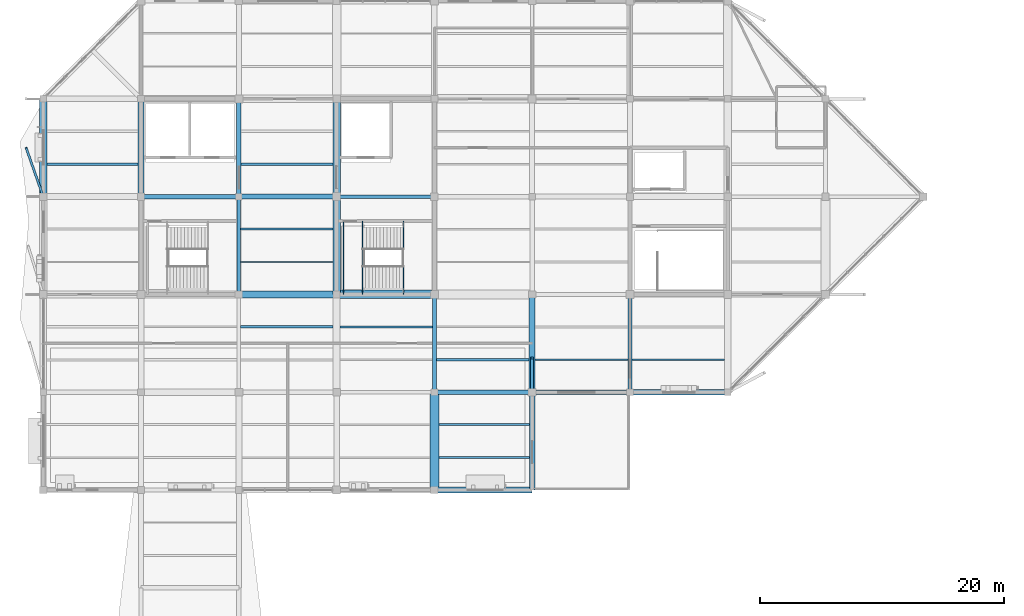
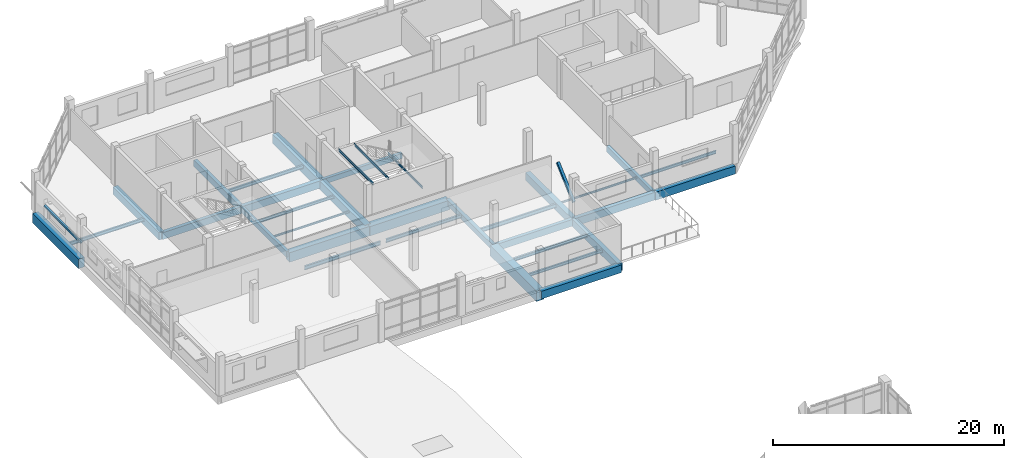
# One storey, part 17 of 72: 34 beams, 2 members.
"""IFC4 building model written with IfcOpenShell, lengths in metres."""

import ifcopenshell
import ifcopenshell.guid

model = None  # the IFC model being written
_history = None  # IfcOwnerHistory: only IFC2X3 demands one
_inside = {}  # id of a spatial element -> (the spatial element, [elements in it])
_under = {}  # id of a project, library or spatial element -> (it, [spatial elements below it])
_declared = {}  # id of a project -> (the project, [libraries it declares])
_typed = {}  # id of a type object -> (the type object, [elements of that type])
_made_of = {}  # id of a material, layer set ... -> (it, [elements and type objects made of it])


def new_model(schema):
    """Start an empty IFC model of exactly this schema.

    Asked for "IFC4X3", IfcOpenShell would pick the latest addendum, in which some entities
    have other attributes; the version numbers below select the first issue.
    IFC2X3 requires an IfcOwnerHistory on every rooted entity: one is made here for all.
    """
    global model, _history
    if schema == "IFC4X3":
        model = ifcopenshell.file(schema_version=(4, 3, 0, 0))
    else:
        model = ifcopenshell.file(schema=schema)
    _inside.clear()
    _under.clear()
    _declared.clear()
    _typed.clear()
    _made_of.clear()
    _history = None
    if model.schema == "IFC2X3":
        org = make("IfcOrganization", Name="unknown")
        user = make(
            "IfcPersonAndOrganization",
            ThePerson=make("IfcPerson", FamilyName="unknown"),
            TheOrganization=org,
        )
        app = make(
            "IfcApplication",
            ApplicationDeveloper=org,
            Version="unknown",
            ApplicationFullName="unknown",
            ApplicationIdentifier="unknown",
        )
        _history = make(
            "IfcOwnerHistory",
            OwningUser=user,
            OwningApplication=app,
            ChangeAction="ADDED",
            CreationDate=0,
        )
    return model


def make(cls, **values):
    """One entity of the class cls with the attributes given. An attribute that is None is left unset."""
    return model.create_entity(
        cls, **{name: value for name, value in values.items() if value is not None}
    )


def rooted(cls, **values):
    """An entity with a GlobalId (a new one), such as an element, a storey or a relation."""
    return make(cls, GlobalId=ifcopenshell.guid.new(), OwnerHistory=_history, **values)


def si_unit(unit_type, name, prefix=None):
    """IfcSIUnit, for example si_unit("LENGTHUNIT", "METRE", prefix="MILLI")."""
    return make("IfcSIUnit", UnitType=unit_type, Prefix=prefix, Name=name)


def assignment(units):
    """IfcUnitAssignment: the units of a project."""
    return None if units is None else make("IfcUnitAssignment", Units=units)


def point(xyz):
    """IfcCartesianPoint."""
    return None if xyz is None else make("IfcCartesianPoint", Coordinates=xyz)


def direction(xyz):
    """IfcDirection."""
    return None if xyz is None else make("IfcDirection", DirectionRatios=xyz)


def frame(location, z_axis=None, x_axis=None):
    """IfcAxis2Placement3D, a coordinate frame: its origin and axes. An axis left out is left unset."""
    return make(
        "IfcAxis2Placement3D",
        Location=point(location),
        Axis=direction(z_axis),
        RefDirection=direction(x_axis),
    )


def frame_2d(location, x_axis=None):
    """IfcAxis2Placement2D, a coordinate frame in the plane: its origin and x axis."""
    return make(
        "IfcAxis2Placement2D", Location=point(location), RefDirection=direction(x_axis)
    )


def origin():
    """The frame at (0, 0, 0) with its axes left unset."""
    return frame((0.0, 0.0, 0.0))


def origin_2d():
    """The frame at (0, 0) in the plane with its x axis left unset."""
    return frame_2d((0.0, 0.0))


def place(relative_to, where):
    """IfcLocalPlacement: puts the frame where relative to a parent placement (None: the world)."""
    return make(
        "IfcLocalPlacement", PlacementRelTo=relative_to, RelativePlacement=where
    )


def context(
    kind, dimensions, precision=None, world=None, true_north=None, identifier=None
):
    """IfcGeometricRepresentationContext, for example the 3D "Model" context."""
    return make(
        "IfcGeometricRepresentationContext",
        ContextIdentifier=identifier,
        ContextType=kind,
        CoordinateSpaceDimension=dimensions,
        Precision=precision,
        WorldCoordinateSystem=world,
        TrueNorth=true_north,
    )


def subcontext(parent, identifier, kind, view, scale=None):
    """IfcGeometricRepresentationSubContext, for example "Body" below "Model"."""
    return make(
        "IfcGeometricRepresentationSubContext",
        ContextIdentifier=identifier,
        ContextType=kind,
        ParentContext=parent,
        TargetScale=scale,
        TargetView=view,
    )


def project(units=None, contexts=None):
    """IfcProject with its units and contexts."""
    return rooted(
        "IfcProject",
        Name="project",
        RepresentationContexts=contexts,
        UnitsInContext=assignment(units),
    )


def spatial(cls, under=None, at=None, **own):
    """A site, building, storey or space (cls), placed at a placement, below another one or the project."""
    s = rooted(cls, ObjectPlacement=at, **own)
    if under is not None:
        _under.setdefault(under.id(), (under, []))[1].append(s)
    return s


def profile(cls, at=None, kind="AREA", **sizes):
    """A parametric profile (cls). Its sizes go by their IFC names, for example OverallWidth=200.0."""
    return make(cls, ProfileType=kind, Position=at, **sizes)


def rectangle(**sizes):
    """IfcRectangleProfileDef."""
    return profile("IfcRectangleProfileDef", **sizes)


def hollow_rectangle(**sizes):
    """IfcRectangleHollowProfileDef."""
    return profile("IfcRectangleHollowProfileDef", **sizes)


def i_section(**sizes):
    """IfcIShapeProfileDef."""
    return profile("IfcIShapeProfileDef", **sizes)


def extrude(swept, where, along, depth):
    """IfcExtrudedAreaSolid: the profile swept, set in the frame where, extruded along a direction by depth."""
    return make(
        "IfcExtrudedAreaSolid",
        SweptArea=swept,
        Position=where,
        ExtrudedDirection=direction(along),
        Depth=depth,
    )


def shape(context_of_items, identifier, shape_type, items):
    """IfcShapeRepresentation: the items that make up one representation, for example the "Body"."""
    return make(
        "IfcShapeRepresentation",
        ContextOfItems=context_of_items,
        RepresentationIdentifier=identifier,
        RepresentationType=shape_type,
        Items=items,
    )


def material(Name=None, Category=None):
    """IfcMaterial."""
    return make("IfcMaterial", Name=Name, Category=Category)


def material_profile(
    of_material, cross_section, Name=None, Category=None, Priority=None
):
    """IfcMaterialProfile: a cross section and its material."""
    return make(
        "IfcMaterialProfile",
        Name=Name,
        Material=of_material,
        Profile=cross_section,
        Priority=Priority,
        Category=Category,
    )


def profile_set(profiles, Name=None, composite=None):
    """IfcMaterialProfileSet."""
    return make(
        "IfcMaterialProfileSet",
        Name=Name,
        MaterialProfiles=profiles,
        CompositeProfile=composite,
    )


def made_of(thing, what):
    """Note that an element or type object is made of a material, layer set ...; save() writes the relation."""
    if what is not None:
        _made_of.setdefault(what.id(), (what, []))[1].append(thing)
    return thing


def type_object(cls, material=None, **own):
    """A type object (cls), such as IfcWallType, which elements share."""
    return made_of(rooted(cls, **own), material)


def element(
    cls,
    number,
    at=None,
    inside=None,
    cuts=None,
    type_object=None,
    material=None,
    context=None,
    identifier="Body",
    shape_type=None,
    held_by="IfcProductDefinitionShape",
    body=None,
    shapes=None,
    **own,
):
    """One element of the class cls, such as IfcWall. Its Tag is "e" and its number.

    at: its placement. inside: the storey or other place that contains it. cuts: it is an
    opening in that element (IfcRelVoidsElement). A single representation is given by context,
    identifier, shape_type and body (its items); several are given by shapes. held_by: the class
    of the entity that holds the representations. save() writes the other relations.
    """
    e = rooted(cls, Tag="e%d" % number, ObjectPlacement=at, **own)
    if body is not None:
        shapes = [shape(context, identifier, shape_type, body)]
    if shapes is not None:
        e.Representation = make(held_by, Representations=shapes)
    if inside is not None:
        _inside.setdefault(inside.id(), (inside, []))[1].append(e)
    if cuts is not None:
        rooted(
            "IfcRelVoidsElement", RelatingBuildingElement=cuts, RelatedOpeningElement=e
        )
    if type_object is not None:
        _typed.setdefault(type_object.id(), (type_object, []))[1].append(e)
    return made_of(e, material)


def aggregate(whole, parts):
    """IfcRelAggregates: a whole, such as a stair, and the parts it consists of."""
    return rooted("IfcRelAggregates", RelatingObject=whole, RelatedObjects=parts)


def save(model, path):
    """Write the relations noted so far, then the file.

    IfcRelAggregates (storeys below a building ...), IfcRelContainedInSpatialStructure (elements
    in a storey), IfcRelDefinesByType, IfcRelAssociatesMaterial and IfcRelDeclares: one each for
    every whole, place, type object, material and project.
    """
    for whole, parts in _under.values():
        aggregate(whole, parts)
    for where, things in _inside.values():
        rooted(
            "IfcRelContainedInSpatialStructure",
            RelatedElements=things,
            RelatingStructure=where,
        )
    for kind, things in _typed.values():
        rooted("IfcRelDefinesByType", RelatedObjects=things, RelatingType=kind)
    for what, things in _made_of.values():
        rooted("IfcRelAssociatesMaterial", RelatedObjects=things, RelatingMaterial=what)
    for by, libraries in _declared.values():
        rooted("IfcRelDeclares", RelatingContext=by, RelatedDefinitions=libraries)
    model.write(path)


model = new_model("IFC4")

# Units and contexts
model_context = context("Model", 3, precision=1e-05, world=origin(), true_north=direction((0.0, 1.0)))
body_context = subcontext(model_context, "Body", "Model", "MODEL_VIEW")
ifc_project = project(units=[si_unit("LENGTHUNIT", "METRE"), si_unit("AREAUNIT", "SQUARE_METRE"), si_unit("VOLUMEUNIT", "CUBIC_METRE"), si_unit("PLANEANGLEUNIT", "RADIAN"), si_unit("MASSUNIT", "GRAM", prefix="KILO")], contexts=[model_context])

# Site, building, storey
site_placement = place(None, origin())
site = spatial("IfcSite", under=ifc_project, at=site_placement, CompositionType="ELEMENT")
building_placement = place(site_placement, origin())
building = spatial("IfcBuilding", under=site, at=building_placement, Name="Tenunan Teduh Sports Hall", CompositionType="ELEMENT")
storey_placement = place(building_placement, frame((0.0, 0.0, 15.0)))
storey = spatial("IfcBuildingStorey", under=building, at=storey_placement, Name="L03", CompositionType="ELEMENT", Elevation=15.0)

# Beams
ifc_material_1 = material(Name="Concrete C40/50", Category="concrete")
ifc_material_profile_1 = material_profile(ifc_material_1, rectangle(XDim=0.300048828125, YDim=0.550048828125, at=origin_2d()), Name="RCB 300x550")
ifc_profile_set_1 = profile_set([ifc_material_profile_1], Name="Concrete C40/50")
beam_type_1 = type_object("IfcBeamType", Name="BM-RC-300x550", PredefinedType="BEAM", material=ifc_profile_set_1)
beam_1_placement = place(storey_placement, frame((30.0, 102.0, -0.514892578125), z_axis=(1.0, 0.0, 0.0), x_axis=(0.0, 1.0, 0.0)))
element("IfcBeam", 1, at=beam_1_placement, inside=storey, type_object=beam_type_1, Name="BM-B-02-L03-1854", PredefinedType="BEAM", context=body_context, shape_type="SweptSolid", body=[
    extrude(rectangle(XDim=0.300048828125, YDim=0.550048828125, at=origin_2d()), origin(), (0.0, 0.0, 1.0), 8.0),
])
ifc_material_2 = material(Name="Concrete C40/50", Category="concrete")
ifc_material_profile_2 = material_profile(ifc_material_2, rectangle(XDim=0.300048828125, YDim=0.60009765625, at=origin_2d()), Name="RCB 300x600")
ifc_profile_set_2 = profile_set([ifc_material_profile_2], Name="Concrete C40/50")
beam_type_2 = type_object("IfcBeamType", Name="BM-RC-300x600", PredefinedType="BEAM", material=ifc_profile_set_2)
for number, where, z_axis, x_axis, name in (
    (2, (22.0, 94.0, -0.5400390625), (0.0, 1.0, 0.0), (-1.0, 0.0, 0.0), "BM-B-03-L03-1900"),
    (3, (54.0, 86.0, -0.5400390625), (0.0, 1.0, 0.0), (-1.0, 0.0, 0.0), "BM-B-03-L03-1922"),
):
    element("IfcBeam", number, at=place(storey_placement, frame(where, z_axis=z_axis, x_axis=x_axis)), inside=storey, type_object=beam_type_2, Name=name, PredefinedType="BEAM", context=body_context, shape_type="SweptSolid", body=[
        extrude(rectangle(XDim=0.300048828125, YDim=0.60009765625, at=origin_2d()), origin(), (0.0, 0.0, 1.0), 8.0),
    ])
ifc_material_3 = material(Name="Concrete C40/50", Category="concrete")
ifc_material_profile_3 = material_profile(ifc_material_3, rectangle(XDim=0.35009765625, YDim=0.60009765625, at=origin_2d()), Name="RCB 350x600")
ifc_profile_set_3 = profile_set([ifc_material_profile_3], Name="Concrete C40/50")
beam_type_3 = type_object("IfcBeamType", Name="BM-RC-350x600", PredefinedType="BEAM", material=ifc_profile_set_3)
beam_2_placement = place(storey_placement, frame((38.0, 86.0, -0.5400390625), z_axis=(0.0, 1.0, 0.0), x_axis=(-1.0, 0.0, 0.0)))
element("IfcBeam", 4, at=beam_2_placement, inside=storey, type_object=beam_type_3, Name="BM-B-04-L03-1909", PredefinedType="BEAM", context=body_context, shape_type="SweptSolid", body=[
    extrude(rectangle(XDim=0.35009765625, YDim=0.60009765625, at=origin_2d()), origin(), (0.0, 0.0, 1.0), 8.0),
])
ifc_material_4 = material(Name="Concrete C40/50", Category="concrete")
ifc_material_profile_4 = material_profile(ifc_material_4, rectangle(XDim=0.35009765625, YDim=0.699951171875, at=origin_2d()), Name="RCB 350x700")
ifc_profile_set_4 = profile_set([ifc_material_profile_4], Name="Concrete C40/50")
beam_type_4 = type_object("IfcBeamType", Name="BM-RC-350x700", PredefinedType="BEAM", material=ifc_profile_set_4)
for number, where, z_axis, x_axis, name in (
    (5, (38.0, 86.0, -0.590087890625), (1.0, 0.0, 0.0), (0.0, 1.0, 0.0), "BM-B-06-L03-1838"),
    (6, (22.0, 102.0, -0.590087890625), (0.0, 1.0, 0.0), (-1.0, 0.0, 0.0), "BM-B-06-L03-1901"),
):
    element("IfcBeam", number, at=place(storey_placement, frame(where, z_axis=z_axis, x_axis=x_axis)), inside=storey, type_object=beam_type_4, Name=name, PredefinedType="BEAM", context=body_context, shape_type="SweptSolid", body=[
        extrude(rectangle(XDim=0.35009765625, YDim=0.699951171875, at=origin_2d()), origin(), (0.0, 0.0, 1.0), 8.0),
    ])
ifc_material_5 = material(Name="Concrete C40/50", Category="concrete")
ifc_material_profile_5 = material_profile(ifc_material_5, rectangle(XDim=0.39990234375, YDim=0.800048828125, at=origin_2d()), Name="RCB 400x800")
ifc_profile_set_5 = profile_set([ifc_material_profile_5], Name="Concrete C40/50")
beam_type_5 = type_object("IfcBeamType", Name="BM-RC-400x800", PredefinedType="BEAM", material=ifc_profile_set_5)
beam_3_placement = place(storey_placement, frame((46.0, 86.0, -0.639892578125), z_axis=(1.0, 0.0, 0.0), x_axis=(0.0, 1.0, 0.0)))
element("IfcBeam", 7, at=beam_3_placement, inside=storey, type_object=beam_type_5, Name="BM-B-10-L03-1839", PredefinedType="BEAM", context=body_context, shape_type="SweptSolid", body=[
    extrude(rectangle(XDim=0.39990234375, YDim=0.800048828125, at=origin_2d()), origin(), (0.0, 0.0, 1.0), 8.0),
])
ifc_material_6 = material(Name="Concrete C40/50", Category="concrete")
ifc_material_profile_6 = material_profile(ifc_material_6, rectangle(XDim=0.449951171875, YDim=0.800048828125, at=origin_2d()), Name="RCB 450x800")
ifc_profile_set_6 = profile_set([ifc_material_profile_6], Name="Concrete C40/50")
beam_type_6 = type_object("IfcBeamType", Name="BM-RC-450x800", PredefinedType="BEAM", material=ifc_profile_set_6)
beam_4_placement = place(storey_placement, frame((46.0, 78.0, -0.639892578125), z_axis=(0.0, 1.0, 0.0), x_axis=(-1.0, 0.0, 0.0)))
element("IfcBeam", 8, at=beam_4_placement, inside=storey, type_object=beam_type_6, Name="BM-B-12-L03-1913", PredefinedType="BEAM", context=body_context, shape_type="SweptSolid", body=[
    extrude(rectangle(XDim=0.449951171875, YDim=0.800048828125, at=origin_2d()), origin(), (0.0, 0.0, 1.0), 8.0),
])
ifc_material_7 = material(Name="Concrete C40/50", Category="concrete")
ifc_material_profile_7 = material_profile(ifc_material_7, rectangle(XDim=0.449951171875, YDim=0.85009765625, at=origin_2d()), Name="RCB 450x850")
ifc_profile_set_7 = profile_set([ifc_material_profile_7], Name="Concrete C40/50")
beam_type_7 = type_object("IfcBeamType", Name="BM-RC-450x850", PredefinedType="BEAM", material=ifc_profile_set_7)
beam_5_placement = place(storey_placement, frame((54.0, 86.0, -0.6650390625), z_axis=(1.0, 0.0, 0.0), x_axis=(0.0, 1.0, 0.0)))
element("IfcBeam", 9, at=beam_5_placement, inside=storey, type_object=beam_type_7, Name="BM-B-13-L03-1840", PredefinedType="BEAM", context=body_context, shape_type="SweptSolid", body=[
    extrude(rectangle(XDim=0.449951171875, YDim=0.85009765625, at=origin_2d()), origin(), (0.0, 0.0, 1.0), 8.0),
])
ifc_material_8 = material(Name="Concrete C40/50", Category="concrete")
ifc_material_profile_8 = material_profile(ifc_material_8, rectangle(XDim=0.5, YDim=0.800048828125, at=origin_2d()), Name="RCB 500x800")
ifc_profile_set_8 = profile_set([ifc_material_profile_8], Name="Concrete C40/50")
beam_type_8 = type_object("IfcBeamType", Name="BM-RC-500x800", PredefinedType="BEAM", material=ifc_profile_set_8)
for number, where, z_axis, x_axis, name in (
    (10, (38.0, 78.0, -0.639892578125), (1.0, 0.0, 0.0), (0.0, 1.0, 0.0), "BM-B-14-L03-1829"),
    (11, (14.0, 102.0, -0.639892578125), (0.0, 1.0, 0.0), (-1.0, 0.0, 0.0), "BM-B-14-L03-1892"),
    (12, (46.0, 86.0, -0.639892578125), (0.0, 1.0, 0.0), (-1.0, 0.0, 0.0), "BM-B-14-L03-1914"),
):
    element("IfcBeam", number, at=place(storey_placement, frame(where, z_axis=z_axis, x_axis=x_axis)), inside=storey, type_object=beam_type_8, Name=name, PredefinedType="BEAM", context=body_context, shape_type="SweptSolid", body=[
        extrude(rectangle(XDim=0.5, YDim=0.800048828125, at=origin_2d()), origin(), (0.0, 0.0, 1.0), 8.0),
    ])
ifc_material_9 = material(Name="Concrete C40/50", Category="concrete")
ifc_material_profile_9 = material_profile(ifc_material_9, rectangle(XDim=0.60009765625, YDim=1.0, at=origin_2d()), Name="RCB 600x1000")
ifc_profile_set_9 = profile_set([ifc_material_profile_9], Name="Concrete C40/50")
beam_type_9 = type_object("IfcBeamType", Name="BM-RC-600x1000", PredefinedType="BEAM", material=ifc_profile_set_9)
for number, where, z_axis, x_axis, name in (
    (13, (22.0, 94.0, -0.739990234375), (1.0, 0.0, 0.0), (0.0, 1.0, 0.0), "BM-B-18-L03-1843"),
    (14, (6.0, 102.0, -0.739990234375), (0.0, 1.0, 0.0), (-1.0, 0.0, 0.0), "BM-B-18-L03-1884"),
    (15, (30.0, 102.0, -0.739990234375), (0.0, 1.0, 0.0), (-1.0, 0.0, 0.0), "BM-B-18-L03-1906"),
):
    element("IfcBeam", number, at=place(storey_placement, frame(where, z_axis=z_axis, x_axis=x_axis)), inside=storey, type_object=beam_type_9, Name=name, PredefinedType="BEAM", context=body_context, shape_type="SweptSolid", body=[
        extrude(rectangle(XDim=0.60009765625, YDim=1.0, at=origin_2d()), origin(), (0.0, 0.0, 1.0), 8.0),
    ])
ifc_material_10 = material(Name="Concrete C40/50", Category="concrete")
ifc_material_profile_10 = material_profile(ifc_material_10, rectangle(XDim=0.60009765625, YDim=0.89990234375, at=origin_2d()), Name="RCB 600x900")
ifc_profile_set_10 = profile_set([ifc_material_profile_10], Name="Concrete C40/50")
beam_type_10 = type_object("IfcBeamType", Name="BM-RC-600x900", PredefinedType="BEAM", material=ifc_profile_set_10)
beam_6_placement = place(storey_placement, frame((30.0, 94.0, -0.68994140625), z_axis=(0.0, 1.0, 0.0), x_axis=(-1.0, 0.0, 0.0)))
element("IfcBeam", 16, at=beam_6_placement, inside=storey, type_object=beam_type_10, Name="BM-B-17-L03-1905", PredefinedType="BEAM", context=body_context, shape_type="SweptSolid", body=[
    extrude(rectangle(XDim=0.60009765625, YDim=0.89990234375, at=origin_2d()), origin(), (0.0, 0.0, 1.0), 8.0),
])
ifc_material_11 = material(Name="Concrete C40/50", Category="concrete")
ifc_material_profile_11 = material_profile(ifc_material_11, rectangle(XDim=0.699951171875, YDim=1.0, at=origin_2d()), Name="RCB 700x1000")
ifc_profile_set_11 = profile_set([ifc_material_profile_11], Name="Concrete C40/50")
beam_type_11 = type_object("IfcBeamType", Name="BM-RC-700x1000", PredefinedType="SPANDREL", material=ifc_profile_set_11)
beam_7_placement = place(storey_placement, frame((30.0, 94.0, -0.739990234375), z_axis=(1.0, 0.0, 0.0), x_axis=(0.0, 1.0, 0.0)))
element("IfcBeam", 17, at=beam_7_placement, inside=storey, type_object=beam_type_11, Name="BM-B-19-L03-1844", PredefinedType="SPANDREL", context=body_context, shape_type="SweptSolid", body=[
    extrude(rectangle(XDim=0.699951171875, YDim=1.0, at=origin_2d()), origin(), (0.0, 0.0, 1.0), 8.0),
])
ifc_material_12 = material(Name="Concrete C40/50", Category="concrete")
ifc_material_profile_12 = material_profile(ifc_material_12, rectangle(XDim=0.75, YDim=1.10009765625, at=origin_2d()), Name="RCB 750x1100")
ifc_profile_set_12 = profile_set([ifc_material_profile_12], Name="Concrete C40/50")
beam_type_12 = type_object("IfcBeamType", Name="BM-RC-750x1100", PredefinedType="SPANDREL", material=ifc_profile_set_12)
beam_8_placement = place(storey_placement, frame((38.0, 78.0, -0.7900390625), z_axis=(0.0, 1.0, 0.0), x_axis=(-1.0, 0.0, 0.0)))
element("IfcBeam", 18, at=beam_8_placement, inside=storey, type_object=beam_type_12, Name="BM-B-20-L03-1908", PredefinedType="SPANDREL", context=body_context, shape_type="SweptSolid", body=[
    extrude(rectangle(XDim=0.75, YDim=1.10009765625, at=origin_2d()), origin(), (0.0, 0.0, 1.0), 8.0),
])
ifc_material_13 = material(Name="Concrete C40/50", Category="concrete")
ifc_material_profile_13 = material_profile(ifc_material_13, rectangle(XDim=0.35009765625, YDim=0.719970703125, at=origin_2d()), Name="TB 350x720")
ifc_profile_set_13 = profile_set([ifc_material_profile_13], Name="Concrete C40/50")
beam_type_13 = type_object("IfcBeamType", Name="BM-TB-350x720", PredefinedType="T_BEAM", material=ifc_profile_set_13)
beam_9_placement = place(storey_placement, frame((14.0, 102.0, -0.60009765625), z_axis=(1.0, 0.0, 0.0), x_axis=(0.0, 1.0, 0.0)))
element("IfcBeam", 19, at=beam_9_placement, inside=storey, type_object=beam_type_13, Name="BM-TB-01-L03-1852", PredefinedType="T_BEAM", context=body_context, shape_type="SweptSolid", body=[
    extrude(rectangle(XDim=0.35009765625, YDim=0.719970703125, at=origin_2d()), origin(), (0.0, 0.0, 1.0), 8.0),
])
ifc_material_14 = material(Name="Concrete C40/50", Category="concrete")
ifc_material_profile_14 = material_profile(ifc_material_14, rectangle(XDim=0.39990234375, YDim=0.780029296875, at=origin_2d()), Name="TB 400x780")
ifc_profile_set_14 = profile_set([ifc_material_profile_14], Name="Concrete C40/50")
beam_type_14 = type_object("IfcBeamType", Name="BM-TB-400x780", PredefinedType="T_BEAM", material=ifc_profile_set_14)
beam_10_placement = place(storey_placement, frame((22.0, 102.0, -0.6298828125), z_axis=(1.0, 0.0, 0.0), x_axis=(0.0, 1.0, 0.0)))
element("IfcBeam", 20, at=beam_10_placement, inside=storey, type_object=beam_type_14, Name="BM-TB-02-L03-1853", PredefinedType="T_BEAM", context=body_context, shape_type="SweptSolid", body=[
    extrude(rectangle(XDim=0.39990234375, YDim=0.780029296875, at=origin_2d()), origin(), (0.0, 0.0, 1.0), 8.0),
])
ifc_material_15 = material(Name="Steel S355", Category="steel")
ifc_material_profile_15 = material_profile(ifc_material_15, i_section(OverallWidth=0.10009765625, OverallDepth=0.199951171875, WebThickness=0.005615234375, FlangeThickness=0.008544921875, FilletRadius=0.011962890625, at=origin_2d()), Name="IPE 200")
ifc_profile_set_15 = profile_set([ifc_material_profile_15], Name="Steel S355")
beam_type_15 = type_object("IfcBeamType", Name="JST-IPE200", PredefinedType="JOIST", material=ifc_profile_set_15)
beam_11_placement = place(storey_placement, frame((22.14990234375, 96.64990234375, -0.340087890625), z_axis=(1.0, 0.0, 0.0), x_axis=(0.0, 1.0, 0.0)))
element("IfcBeam", 21, at=beam_11_placement, inside=storey, type_object=beam_type_15, Name="BM-J-01-L03-1972", PredefinedType="JOIST", context=body_context, shape_type="SweptSolid", body=[
    extrude(i_section(OverallWidth=0.10009765625, OverallDepth=0.199951171875, WebThickness=0.005615234375, FlangeThickness=0.008544921875, FilletRadius=0.011962890625, at=origin_2d()), origin(), (0.0, 0.0, 1.0), 7.550048828125),
])
beam_12_placement = place(storey_placement, frame((46.25, 88.64990234375, -0.340087890625), z_axis=(1.0, 0.0, 0.0), x_axis=(0.0, 1.0, 0.0)))
element("IfcBeam", 22, at=beam_12_placement, inside=storey, type_object=beam_type_15, Name="BM-J-01-L03-1994", PredefinedType="JOIST", context=body_context, shape_type="SweptSolid", body=[
    extrude(i_section(OverallWidth=0.10009765625, OverallDepth=0.199951171875, WebThickness=0.005615234375, FlangeThickness=0.008544921875, FilletRadius=0.011962890625, at=origin_2d()), origin(), (0.0, 0.0, 1.0), 7.60009765625),
])
ifc_material_16 = material(Name="Steel S355", Category="steel")
ifc_material_profile_16 = material_profile(ifc_material_16, i_section(OverallWidth=0.14990234375, OverallDepth=0.300048828125, WebThickness=0.007080078125, FlangeThickness=0.0107421875, FilletRadius=0.014892578125, at=origin_2d()), Name="IPE 300")
ifc_profile_set_16 = profile_set([ifc_material_profile_16], Name="Steel S355")
beam_type_16 = type_object("IfcBeamType", Name="JST-IPE300", PredefinedType="JOIST", material=ifc_profile_set_16)
beam_13_placement = place(storey_placement, frame((54.14990234375, 88.64990234375, -0.389892578125), z_axis=(1.0, 0.0, 0.0), x_axis=(0.0, 1.0, 0.0)))
element("IfcBeam", 23, at=beam_13_placement, inside=storey, type_object=beam_type_16, Name="BM-J-04-L03-2002", PredefinedType="JOIST", context=body_context, shape_type="SweptSolid", body=[
    extrude(i_section(OverallWidth=0.14990234375, OverallDepth=0.300048828125, WebThickness=0.007080078125, FlangeThickness=0.0107421875, FilletRadius=0.014892578125, at=origin_2d()), origin(), (0.0, 0.0, 1.0), 7.5751953125),
])
ifc_material_17 = material(Name="Steel S355", Category="steel")
ifc_material_profile_17 = material_profile(ifc_material_17, i_section(OverallWidth=0.169921875, OverallDepth=0.360107421875, WebThickness=0.008056640625, FlangeThickness=0.0126953125, FilletRadius=0.01806640625, at=origin_2d()), Name="IPE 360")
ifc_profile_set_17 = profile_set([ifc_material_profile_17], Name="Steel S355")
beam_type_17 = type_object("IfcBeamType", Name="JST-IPE360", PredefinedType="JOIST", material=ifc_profile_set_17)
beam_14_placement = place(storey_placement, frame((30.27490234375, 91.35009765625, -0.419921875), z_axis=(1.0, 0.0, 0.0), x_axis=(0.0, 1.0, 0.0)))
element("IfcBeam", 24, at=beam_14_placement, inside=storey, type_object=beam_type_17, Name="BM-J-05-L03-1981", PredefinedType="JOIST", context=body_context, shape_type="SweptSolid", body=[
    extrude(i_section(OverallWidth=0.169921875, OverallDepth=0.360107421875, WebThickness=0.008056640625, FlangeThickness=0.0126953125, FilletRadius=0.01806640625, at=origin_2d()), origin(), (0.0, 0.0, 1.0), 7.550048828125),
])
ifc_material_18 = material(Name="Steel S355", Category="steel")
ifc_material_profile_18 = material_profile(ifc_material_18, i_section(OverallWidth=0.179931640625, OverallDepth=0.39990234375, WebThickness=0.008544921875, FlangeThickness=0.013427734375, FilletRadius=0.02099609375, at=origin_2d()), Name="IPE 400")
ifc_profile_set_18 = profile_set([ifc_material_profile_18], Name="Steel S355")
beam_type_18 = type_object("IfcBeamType", Name="JST-IPE400", PredefinedType="JOIST", material=ifc_profile_set_18)
beam_15_placement = place(storey_placement, frame((22.14990234375, 91.35009765625, -0.43994140625), z_axis=(1.0, 0.0, 0.0), x_axis=(0.0, 1.0, 0.0)))
element("IfcBeam", 25, at=beam_15_placement, inside=storey, type_object=beam_type_18, Name="BM-J-06-L03-1971", PredefinedType="JOIST", context=body_context, shape_type="SweptSolid", body=[
    extrude(i_section(OverallWidth=0.179931640625, OverallDepth=0.39990234375, WebThickness=0.008544921875, FlangeThickness=0.013427734375, FilletRadius=0.02099609375, at=origin_2d()), origin(), (0.0, 0.0, 1.0), 7.5751953125),
])

# Members
ifc_material_19 = material(Name="Steel S355", Category="steel")
ifc_material_profile_19 = material_profile(ifc_material_19, hollow_rectangle(XDim=0.179931640625, YDim=0.179931640625, WallThickness=0.010009765625, at=origin_2d()), Name="SHS 180x180x10.0")
ifc_profile_set_19 = profile_set([ifc_material_profile_19], Name="Steel S355")
member_type_1 = type_object("IfcMemberType", Name="MEM-ST-SHS180", PredefinedType="STRUT", material=ifc_profile_set_19)
member_1_placement = place(storey_placement, frame((6.0, 102.0, 1.39990234375), z_axis=(-0.298187834511, 0.852024673986, 0.43027662064), x_axis=(-0.943865541227, -0.330329895837, 0.0)))
element("IfcMember", 26, at=member_1_placement, inside=storey, type_object=member_type_1, Name="MEM-VS-03-L03-1274", PredefinedType="STRUT", context=body_context, shape_type="SweptSolid", body=[
    extrude(hollow_rectangle(XDim=0.179931640625, YDim=0.179931640625, WallThickness=0.010009765625, at=origin_2d()), origin(), (0.0, 0.0, 1.0), 4.694580078125),
])
ifc_material_20 = material(Name="Steel S355", Category="steel")
ifc_material_profile_20 = material_profile(ifc_material_20, hollow_rectangle(XDim=0.25, YDim=0.25, WallThickness=0.012451171875, at=origin_2d()), Name="SHS 250x250x12.5")
ifc_profile_set_20 = profile_set([ifc_material_profile_20], Name="Steel S355")
member_type_2 = type_object("IfcMemberType", Name="MEM-ST-SHS250", PredefinedType="STRUT", material=ifc_profile_set_20)
member_2_placement = place(storey_placement, frame((46.0, 86.0, 1.39990234375), z_axis=(0.0, 0.743297368798, 0.668961150993), x_axis=(-1.0, 0.0, 0.0)))
element("IfcMember", 27, at=member_2_placement, inside=storey, type_object=member_type_2, Name="MEM-VS-01-L03-1276", PredefinedType="STRUT", context=body_context, shape_type="SweptSolid", body=[
    extrude(hollow_rectangle(XDim=0.25, YDim=0.25, WallThickness=0.012451171875, at=origin_2d()), origin(), (0.0, 0.0, 1.0), 3.76708984375),
])

# Beams
ifc_material_21 = material(Name="Steel S355", Category="steel")
ifc_material_profile_21 = material_profile(ifc_material_21, i_section(OverallWidth=0.1650390625, OverallDepth=0.303466796875, WebThickness=0.006103515625, FlangeThickness=0.01025390625, FilletRadius=0.0087890625, at=origin_2d()), Name="UKB 305x165x40")
ifc_profile_set_21 = profile_set([ifc_material_profile_21], Name="Steel S355")
beam_type_19 = type_object("IfcBeamType", Name="SBM-UKB305", PredefinedType="BEAM", material=ifc_profile_set_21)
beam_16_placement = place(storey_placement, frame((22.14990234375, 99.35009765625, -0.3916015625), z_axis=(1.0, 0.0, 0.0), x_axis=(0.0, 1.0, 0.0)))
element("IfcBeam", 28, at=beam_16_placement, inside=storey, type_object=beam_type_19, Name="BM-SB-01-L03-1973", PredefinedType="BEAM", context=body_context, shape_type="SweptSolid", body=[
    extrude(i_section(OverallWidth=0.1650390625, OverallDepth=0.303466796875, WebThickness=0.006103515625, FlangeThickness=0.01025390625, FilletRadius=0.0087890625, at=origin_2d()), origin(), (0.0, 0.0, 1.0), 7.550048828125),
])
beam_17_placement = place(storey_placement, frame((38.375, 80.64990234375, -0.3916015625), z_axis=(1.0, 0.0, 0.0), x_axis=(0.0, 1.0, 0.0)))
element("IfcBeam", 29, at=beam_17_placement, inside=storey, type_object=beam_type_19, Name="BM-SB-01-L03-1984", PredefinedType="BEAM", context=body_context, shape_type="SweptSolid", body=[
    extrude(i_section(OverallWidth=0.1650390625, OverallDepth=0.303466796875, WebThickness=0.006103515625, FlangeThickness=0.01025390625, FilletRadius=0.0087890625, at=origin_2d()), origin(), (0.0, 0.0, 1.0), 7.39990234375),
])
ifc_material_22 = material(Name="Steel S355", Category="steel")
ifc_material_profile_22 = material_profile(ifc_material_22, i_section(OverallWidth=0.17138671875, OverallDepth=0.35498046875, WebThickness=0.00732421875, FlangeThickness=0.011474609375, FilletRadius=0.01025390625, at=origin_2d()), Name="UKB 356x171x51")
ifc_profile_set_22 = profile_set([ifc_material_profile_22], Name="Steel S355")
beam_type_20 = type_object("IfcBeamType", Name="SBM-UKB356", PredefinedType="BEAM", material=ifc_profile_set_22)
beam_18_placement = place(storey_placement, frame((6.300048828125, 104.64990234375, -0.41748046875), z_axis=(1.0, 0.0, 0.0), x_axis=(0.0, 1.0, 0.0)))
element("IfcBeam", 30, at=beam_18_placement, inside=storey, type_object=beam_type_20, Name="BM-SB-02-L03-1952", PredefinedType="BEAM", context=body_context, shape_type="SweptSolid", body=[
    extrude(i_section(OverallWidth=0.17138671875, OverallDepth=0.35498046875, WebThickness=0.00732421875, FlangeThickness=0.011474609375, FilletRadius=0.01025390625, at=origin_2d()), origin(), (0.0, 0.0, 1.0), 7.449951171875),
])
beam_19_placement = place(storey_placement, frame((22.175048828125, 104.64990234375, -0.41748046875), z_axis=(1.0, 0.0, 0.0), x_axis=(0.0, 1.0, 0.0)))
element("IfcBeam", 31, at=beam_19_placement, inside=storey, type_object=beam_type_20, Name="BM-SB-02-L03-1974", PredefinedType="BEAM", context=body_context, shape_type="SweptSolid", body=[
    extrude(i_section(OverallWidth=0.17138671875, OverallDepth=0.35498046875, WebThickness=0.00732421875, FlangeThickness=0.011474609375, FilletRadius=0.01025390625, at=origin_2d()), origin(), (0.0, 0.0, 1.0), 7.52490234375),
])
beam_20_placement = place(storey_placement, frame((38.375, 83.35009765625, -0.41748046875), z_axis=(1.0, 0.0, 0.0), x_axis=(0.0, 1.0, 0.0)))
element("IfcBeam", 32, at=beam_20_placement, inside=storey, type_object=beam_type_20, Name="BM-SB-02-L03-1985", PredefinedType="BEAM", context=body_context, shape_type="SweptSolid", body=[
    extrude(i_section(OverallWidth=0.17138671875, OverallDepth=0.35498046875, WebThickness=0.00732421875, FlangeThickness=0.011474609375, FilletRadius=0.01025390625, at=origin_2d()), origin(), (0.0, 0.0, 1.0), 7.39990234375),
])
ifc_material_23 = material(Name="Steel S355", Category="steel")
ifc_material_profile_23 = material_profile(ifc_material_23, i_section(OverallWidth=0.177978515625, OverallDepth=0.406494140625, WebThickness=0.0078125, FlangeThickness=0.0126953125, FilletRadius=0.01025390625, at=origin_2d()), Name="UKB 406x178x60")
ifc_profile_set_23 = profile_set([ifc_material_profile_23], Name="Steel S355")
beam_type_21 = type_object("IfcBeamType", Name="SBM-UKB406", PredefinedType="BEAM", material=ifc_profile_set_23)
beam_21_placement = place(storey_placement, frame((38.175048828125, 88.64990234375, -0.443115234375), z_axis=(1.0, 0.0, 0.0), x_axis=(0.0, 1.0, 0.0)))
element("IfcBeam", 33, at=beam_21_placement, inside=storey, type_object=beam_type_21, Name="BM-SB-03-L03-1986", PredefinedType="BEAM", context=body_context, shape_type="SweptSolid", body=[
    extrude(i_section(OverallWidth=0.177978515625, OverallDepth=0.406494140625, WebThickness=0.0078125, FlangeThickness=0.0126953125, FilletRadius=0.01025390625, at=origin_2d()), origin(), (0.0, 0.0, 1.0), 7.574951171875),
])
ifc_material_24 = material(Name="Steel S355", Category="steel")
ifc_material_profile_24 = material_profile(ifc_material_24, i_section(OverallWidth=0.090087890625, OverallDepth=0.260009765625, WebThickness=0.008056640625, FlangeThickness=0.013916015625, FilletRadius=0.011962890625, at=origin_2d()), Name="PFC 260x90")
ifc_profile_set_24 = profile_set([ifc_material_profile_24], Name="Steel S355")
beam_type_22 = type_object("IfcBeamType", Name="STR-BM-TRIM", PredefinedType="BEAM", material=ifc_profile_set_24)
for number, where, z_axis, x_axis, name in (
    (34, (35.47998046875, 94.0, 1.77001953125), (0.0, 1.0, 0.0), (-1.0, 0.0, 0.0), "BM-SS-02-W2-L03-M"),
    (35, (32.1201171875, 94.0, 3.8701171875), (0.0, 1.0, 0.0), (-1.0, 0.0, 0.0), "BM-SS-02-W2-L03-T"),
    (36, (30.550048828125, 94.0, 3.8701171875), (0.0, 1.0, 0.0), (-1.0, 0.0, 0.0), "BM-SS-02-W2-L03-TW"),
):
    element("IfcBeam", number, at=place(storey_placement, frame(where, z_axis=z_axis, x_axis=x_axis)), inside=storey, type_object=beam_type_22, Name=name, PredefinedType="BEAM", context=body_context, shape_type="SweptSolid", body=[
        extrude(i_section(OverallWidth=0.090087890625, OverallDepth=0.260009765625, WebThickness=0.008056640625, FlangeThickness=0.013916015625, FilletRadius=0.011962890625, at=origin_2d()), origin(), (0.0, 0.0, 1.0), 6.0),
    ])

save(model, "model.ifc")
